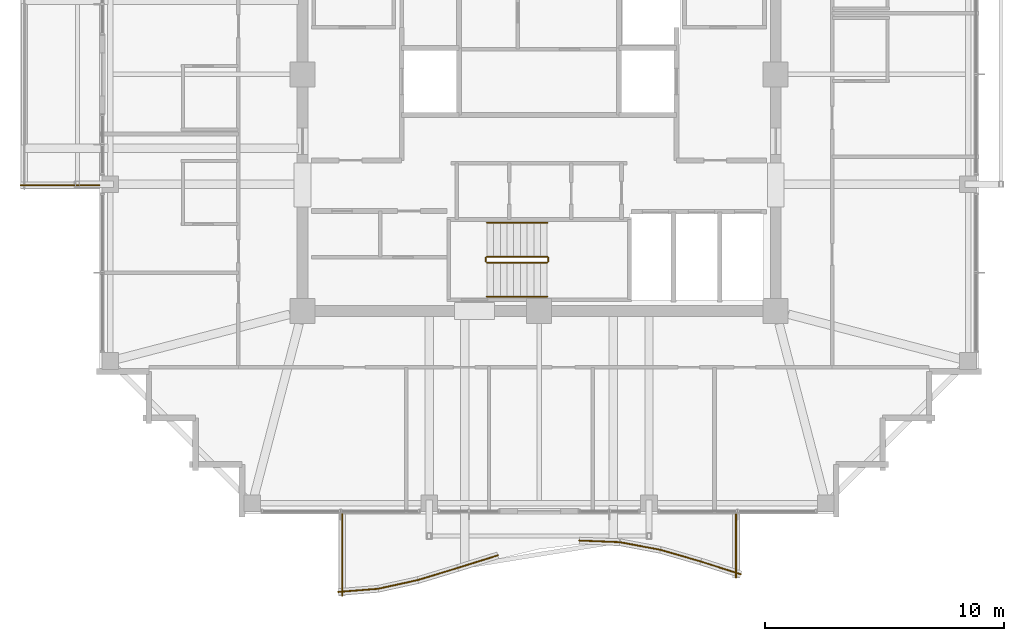
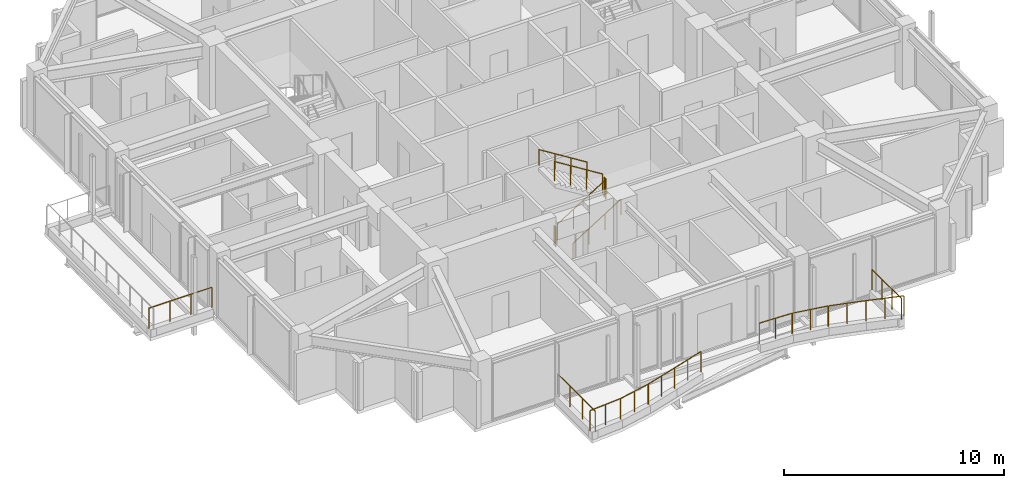
# One storey, part 32 of 34: 17 railings.
"""IFC4 building model written with IfcOpenShell, lengths in metres."""

from ifc_helpers import new_model, si_unit, direction, frame, origin, origin_2d, place, context, subcontext, project, spatial, circle, extrude, material, type_object, element, save


model = new_model("IFC4")

# Units and contexts
model_context = context("Model", 3, precision=1e-05, world=origin(), true_north=direction((0.0, 1.0)))
body_context = subcontext(model_context, "Body", "Model", "MODEL_VIEW")
ifc_project = project(units=[si_unit("LENGTHUNIT", "METRE"), si_unit("AREAUNIT", "SQUARE_METRE"), si_unit("VOLUMEUNIT", "CUBIC_METRE"), si_unit("PLANEANGLEUNIT", "RADIAN"), si_unit("MASSUNIT", "GRAM", prefix="KILO")], contexts=[model_context])

# Site, building, storey
site_placement = place(None, origin())
site = spatial("IfcSite", under=ifc_project, at=site_placement, CompositionType="ELEMENT")
building_placement = place(site_placement, origin())
building = spatial("IfcBuilding", under=site, at=building_placement, Name="Kolvaren Belvedere", CompositionType="ELEMENT")
storey_placement = place(building_placement, frame((0.0, 0.0, 240.89990234375)))
storey = spatial("IfcBuildingStorey", under=building, at=storey_placement, Name="L70", CompositionType="ELEMENT", Elevation=240.89990234375)

# Railings
ifc_material_1 = material(Name="Anodised pale-metal aluminium & laminated glass guard", Category="aluminium")
railing_type_1 = type_object("IfcRailingType", Name="RL-GUARD-1150", PredefinedType="GUARDRAIL", material=ifc_material_1)
railing_1_placement = place(storey_placement, frame((-8.41259765625, -21.660400390625, 0.35009765625)))
element("IfcRailing", 1, at=railing_1_placement, inside=storey, type_object=railing_type_1, Name="L70 Exterior Deck Safety Guard BAL-S-1", PredefinedType="GUARDRAIL", context=body_context, shape_type="SweptSolid", body=[
    extrude(circle(Radius=0.02392578125, at=origin_2d()), frame((0.0, 0.0, 1.1259765625), z_axis=(0.99685522818, 0.079244268248, 0.0), x_axis=(-0.079244268248, 0.99685522818, 0.0)), (0.0, 0.0, 1.0), 1.685302734375),
    extrude(circle(Radius=0.02099609375, at=origin_2d()), origin(), (0.0, 0.0, 1.0), 1.101806640625),
    extrude(circle(Radius=0.02099609375, at=origin_2d()), frame((0.83984375, 0.06689453125, 0.0)), (0.0, 0.0, 1.0), 1.101806640625),
    extrude(circle(Radius=0.02099609375, at=origin_2d()), frame((1.679931640625, 0.133544921875, 0.0)), (0.0, 0.0, 1.0), 1.101806640625),
])
railing_2_placement = place(storey_placement, frame((-6.754150390625, -21.530029296875, 0.35009765625)))
element("IfcRailing", 2, at=railing_2_placement, inside=storey, type_object=railing_type_1, Name="L70 Exterior Deck Safety Guard BAL-S-2", PredefinedType="GUARDRAIL", context=body_context, shape_type="SweptSolid", body=[
    extrude(circle(Radius=0.02392578125, at=origin_2d()), frame((0.0, 0.0, 1.1259765625), z_axis=(0.976876857632, 0.213802724545, 0.0), x_axis=(-0.213802724545, 0.976876857632, 0.0)), (0.0, 0.0, 1.0), 1.7197265625),
    extrude(circle(Radius=0.02099609375, at=origin_2d()), origin(), (0.0, 0.0, 1.0), 1.101806640625),
    extrude(circle(Radius=0.02099609375, at=origin_2d()), frame((0.83984375, 0.183837890625, 0.0)), (0.0, 0.0, 1.0), 1.101806640625),
    extrude(circle(Radius=0.02099609375, at=origin_2d()), frame((1.679931640625, 0.36767578125, 0.0)), (0.0, 0.0, 1.0), 1.101806640625),
])
railing_3_placement = place(storey_placement, frame((-5.086669921875, -21.16552734375, 0.35009765625)))
element("IfcRailing", 3, at=railing_3_placement, inside=storey, type_object=railing_type_1, Name="L70 Exterior Deck Safety Guard BAL-S-3", PredefinedType="GUARDRAIL", context=body_context, shape_type="SweptSolid", body=[
    extrude(circle(Radius=0.02392578125, at=origin_2d()), frame((0.0, 0.0, 1.1259765625), z_axis=(0.956771481005, 0.290840734999, 0.0), x_axis=(-0.290840734999, 0.956771481005, 0.0)), (0.0, 0.0, 1.0), 1.756103515625),
    extrude(circle(Radius=0.02099609375, at=origin_2d()), origin(), (0.0, 0.0, 1.0), 1.101806640625),
    extrude(circle(Radius=0.02099609375, at=origin_2d()), frame((0.840087890625, 0.25537109375, 0.0)), (0.0, 0.0, 1.0), 1.101806640625),
    extrude(circle(Radius=0.02099609375, at=origin_2d()), frame((1.68017578125, 0.5107421875, 0.0)), (0.0, 0.0, 1.0), 1.101806640625),
])
railing_4_placement = place(storey_placement, frame((-3.407958984375, -20.6552734375, 0.35009765625)))
element("IfcRailing", 4, at=railing_4_placement, inside=storey, type_object=railing_type_1, Name="L70 Exterior Deck Safety Guard BAL-S-4", PredefinedType="GUARDRAIL", context=body_context, shape_type="SweptSolid", body=[
    extrude(circle(Radius=0.02392578125, at=origin_2d()), frame((0.0, 0.0, 1.1259765625), z_axis=(0.954069594374, 0.299585061529, 0.0), x_axis=(-0.299585061529, 0.954069594374, 0.0)), (0.0, 0.0, 1.0), 1.760986328125),
    extrude(circle(Radius=0.02099609375, at=origin_2d()), origin(), (0.0, 0.0, 1.0), 1.101806640625),
    extrude(circle(Radius=0.02099609375, at=origin_2d()), frame((0.840087890625, 0.263671875, 0.0)), (0.0, 0.0, 1.0), 1.101806640625),
    extrude(circle(Radius=0.02099609375, at=origin_2d()), frame((1.68017578125, 0.527587890625, 0.0)), (0.0, 0.0, 1.0), 1.101806640625),
])
railing_5_placement = place(storey_placement, frame((1.686279296875, -19.508544921875, 0.35009765625)))
element("IfcRailing", 5, at=railing_5_placement, inside=storey, type_object=railing_type_1, Name="L70 Exterior Deck Safety Guard BAL-S-7", PredefinedType="GUARDRAIL", context=body_context, shape_type="SweptSolid", body=[
    extrude(circle(Radius=0.02392578125, at=origin_2d()), frame((0.0, 0.0, 1.1259765625), z_axis=(0.999196778482, -0.040072407855, 0.0), x_axis=(0.040072407855, 0.999196778482, 0.0)), (0.0, 0.0, 1.0), 1.681640625),
    extrude(circle(Radius=0.02099609375, at=origin_2d()), origin(), (0.0, 0.0, 1.0), 1.101806640625),
    extrude(circle(Radius=0.02099609375, at=origin_2d()), frame((0.840087890625, -0.03369140625, 0.0)), (0.0, 0.0, 1.0), 1.101806640625),
    extrude(circle(Radius=0.02099609375, at=origin_2d()), frame((1.68017578125, -0.0673828125, 0.0)), (0.0, 0.0, 1.0), 1.101806640625),
])
railing_6_placement = place(storey_placement, frame((3.3896484375, -19.57861328125, 0.35009765625)))
element("IfcRailing", 6, at=railing_6_placement, inside=storey, type_object=railing_type_1, Name="L70 Exterior Deck Safety Guard BAL-S-8", PredefinedType="GUARDRAIL", context=body_context, shape_type="SweptSolid", body=[
    extrude(circle(Radius=0.02392578125, at=origin_2d()), frame((0.0, 0.0, 1.1259765625), z_axis=(0.982799348901, -0.18467658162, 0.0), x_axis=(0.18467658162, 0.982799348901, 0.0)), (0.0, 0.0, 1.0), 1.709228515625),
    extrude(circle(Radius=0.02099609375, at=origin_2d()), origin(), (0.0, 0.0, 1.0), 1.101806640625),
    extrude(circle(Radius=0.02099609375, at=origin_2d()), frame((0.83984375, -0.15771484375, 0.0)), (0.0, 0.0, 1.0), 1.101806640625),
    extrude(circle(Radius=0.02099609375, at=origin_2d()), frame((1.679931640625, -0.315673828125, 0.0)), (0.0, 0.0, 1.0), 1.101806640625),
])
railing_7_placement = place(storey_placement, frame((5.08447265625, -19.89794921875, 0.35009765625)))
element("IfcRailing", 7, at=railing_7_placement, inside=storey, type_object=railing_type_1, Name="L70 Exterior Deck Safety Guard BAL-S-9", PredefinedType="GUARDRAIL", context=body_context, shape_type="SweptSolid", body=[
    extrude(circle(Radius=0.02392578125, at=origin_2d()), frame((0.0, 0.0, 1.1259765625), z_axis=(0.960633903819, -0.277817391164, 0.0), x_axis=(0.277817391164, 0.960633903819, 0.0)), (0.0, 0.0, 1.0), 1.748779296875),
    extrude(circle(Radius=0.02099609375, at=origin_2d()), origin(), (0.0, 0.0, 1.0), 1.101806640625),
    extrude(circle(Radius=0.02099609375, at=origin_2d()), frame((0.83984375, -0.242919921875, 0.0)), (0.0, 0.0, 1.0), 1.101806640625),
    extrude(circle(Radius=0.02099609375, at=origin_2d()), frame((1.679931640625, -0.48583984375, 0.0)), (0.0, 0.0, 1.0), 1.101806640625),
])
railing_8_placement = place(storey_placement, frame((6.7685546875, -20.38525390625, 0.35009765625)))
element("IfcRailing", 8, at=railing_8_placement, inside=storey, type_object=railing_type_1, Name="L70 Exterior Deck Safety Guard BAL-S-10", PredefinedType="GUARDRAIL", context=body_context, shape_type="SweptSolid", body=[
    extrude(circle(Radius=0.02392578125, at=origin_2d()), frame((0.0, 0.0, 1.1259765625), z_axis=(0.952661770826, -0.304032153573, 0.0), x_axis=(0.304032153573, 0.952661770826, 0.0)), (0.0, 0.0, 1.0), 1.763427734375),
    extrude(circle(Radius=0.02099609375, at=origin_2d()), origin(), (0.0, 0.0, 1.0), 1.101806640625),
    extrude(circle(Radius=0.02099609375, at=origin_2d()), frame((0.83984375, -0.26806640625, 0.0)), (0.0, 0.0, 1.0), 1.101806640625),
    extrude(circle(Radius=0.02099609375, at=origin_2d()), frame((1.679931640625, -0.5361328125, 0.0)), (0.0, 0.0, 1.0), 1.101806640625),
])
railing_9_placement = place(storey_placement, frame((8.239990234375, -21.07373046875, 0.35009765625)))
element("IfcRailing", 9, at=railing_9_placement, inside=storey, type_object=railing_type_1, Name="L70 Exterior Deck Safety Guard BAL-S-11", PredefinedType="GUARDRAIL", context=body_context, shape_type="SweptSolid", body=[
    extrude(circle(Radius=0.02392578125, at=origin_2d()), frame((0.0, 0.0, 1.1259765625), z_axis=(0.0, 1.0, 0.0), x_axis=(-1.0, 0.0, 0.0)), (0.0, 0.0, 1.0), 2.673828125),
    extrude(circle(Radius=0.02099609375, at=origin_2d()), origin(), (0.0, 0.0, 1.0), 1.101806640625),
    extrude(circle(Radius=0.02099609375, at=origin_2d()), frame((0.0, 0.891357421875, 0.0)), (0.0, 0.0, 1.0), 1.101806640625),
    extrude(circle(Radius=0.02099609375, at=origin_2d()), frame((0.0, 1.782470703125, 0.0)), (0.0, 0.0, 1.0), 1.101806640625),
    extrude(circle(Radius=0.02099609375, at=origin_2d()), frame((0.0, 2.673828125, 0.0)), (0.0, 0.0, 1.0), 1.101806640625),
])
railing_10_placement = place(storey_placement, frame((-8.239990234375, -18.39990234375, 0.35009765625)))
element("IfcRailing", 10, at=railing_10_placement, inside=storey, type_object=railing_type_1, Name="L70 Exterior Deck Safety Guard BAL-S-22", PredefinedType="GUARDRAIL", context=body_context, shape_type="SweptSolid", body=[
    extrude(circle(Radius=0.02392578125, at=origin_2d()), frame((0.0, 0.0, 1.1259765625), z_axis=(0.0, -1.0, 0.0), x_axis=(1.0, 0.0, 0.0)), (0.0, 0.0, 1.0), 3.420166015625),
    extrude(circle(Radius=0.02099609375, at=origin_2d()), origin(), (0.0, 0.0, 1.0), 1.101806640625),
    extrude(circle(Radius=0.02099609375, at=origin_2d()), frame((0.0, -1.14013671875, 0.0)), (0.0, 0.0, 1.0), 1.101806640625),
    extrude(circle(Radius=0.02099609375, at=origin_2d()), frame((0.0, -2.280029296875, 0.0)), (0.0, 0.0, 1.0), 1.101806640625),
    extrude(circle(Radius=0.02099609375, at=origin_2d()), frame((0.0, -3.420166015625, 0.0)), (0.0, 0.0, 1.0), 1.101806640625),
])
railing_11_placement = place(storey_placement, frame((-21.699951171875, -4.639892578125, 0.35009765625)))
element("IfcRailing", 11, at=railing_11_placement, inside=storey, type_object=railing_type_1, Name="L70 Exterior Deck Safety Guard SPIRAL-11-W-1", PredefinedType="GUARDRAIL", context=body_context, shape_type="SweptSolid", body=[
    extrude(circle(Radius=0.02392578125, at=origin_2d()), frame((0.0, 0.0, 1.1259765625), z_axis=(1.0, 0.0, 0.0), x_axis=(0.0, 1.0, 0.0)), (0.0, 0.0, 1.0), 3.300048828125),
    extrude(circle(Radius=0.02099609375, at=origin_2d()), origin(), (0.0, 0.0, 1.0), 1.101806640625),
    extrude(circle(Radius=0.02099609375, at=origin_2d()), frame((1.10009765625, 0.0, 0.0)), (0.0, 0.0, 1.0), 1.101806640625),
    extrude(circle(Radius=0.02099609375, at=origin_2d()), frame((2.199951171875, 0.0, 0.0)), (0.0, 0.0, 1.0), 1.101806640625),
    extrude(circle(Radius=0.02099609375, at=origin_2d()), frame((3.300048828125, 0.0, 0.0)), (0.0, 0.0, 1.0), 1.101806640625),
])
ifc_material_2 = material(Name="Brushed stainless-steel handrail", Category="steel")
railing_type_2 = type_object("IfcRailingType", Name="RL-HANDRAIL-920", PredefinedType="HANDRAIL", material=ifc_material_2)
railing_12_placement = place(storey_placement, frame((-2.179931640625, -9.300048828125, 0.175048828125)))
element("IfcRailing", 12, at=railing_12_placement, inside=storey, type_object=railing_type_2, Name="L70 ST-3 stair handrail 1", PredefinedType="HANDRAIL", context=body_context, shape_type="SweptSolid", body=[
    extrude(circle(Radius=0.02392578125, at=origin_2d()), frame((0.0, 0.0, 0.8759765625), z_axis=(0.848007534815, 0.0, 0.529984170421), x_axis=(0.0, 1.0, 0.0)), (0.0, 0.0, 1.0), 2.9716796875),
    extrude(circle(Radius=0.02099609375, at=origin_2d()), origin(), (0.0, 0.0, 1.0), 0.851806640625),
    extrude(circle(Radius=0.02099609375, at=origin_2d()), frame((0.840087890625, 0.0, 0.52490234375)), (0.0, 0.0, 1.0), 0.851806640625),
    extrude(circle(Radius=0.02099609375, at=origin_2d()), frame((1.679931640625, 0.0, 1.050048828125)), (0.0, 0.0, 1.0), 0.851806640625),
    extrude(circle(Radius=0.02099609375, at=origin_2d()), frame((2.52001953125, 0.0, 1.574951171875)), (0.0, 0.0, 1.0), 0.851806640625),
])
railing_13_placement = place(storey_placement, frame((0.340087890625, -6.2099609375, 1.925048828125)))
element("IfcRailing", 13, at=railing_13_placement, inside=storey, type_object=railing_type_2, Name="L70 ST-3 stair handrail 2", PredefinedType="HANDRAIL", context=body_context, shape_type="SweptSolid", body=[
    extrude(circle(Radius=0.02392578125, at=origin_2d()), frame((0.0, 0.0, 0.8759765625), z_axis=(-0.848007534815, 0.0, 0.529984170421), x_axis=(0.0, -1.0, 0.0)), (0.0, 0.0, 1.0), 2.9716796875),
    extrude(circle(Radius=0.02099609375, at=origin_2d()), origin(), (0.0, 0.0, 1.0), 0.851806640625),
    extrude(circle(Radius=0.02099609375, at=origin_2d()), frame((-0.840087890625, 0.0, 0.52490234375)), (0.0, 0.0, 1.0), 0.851806640625),
    extrude(circle(Radius=0.02099609375, at=origin_2d()), frame((-1.679931640625, 0.0, 1.050048828125)), (0.0, 0.0, 1.0), 0.851806640625),
    extrude(circle(Radius=0.02099609375, at=origin_2d()), frame((-2.52001953125, 0.0, 1.574951171875)), (0.0, 0.0, 1.0), 0.851806640625),
])
ifc_material_3 = material(Name="Painted tubular steel stair guard", Category="steel")
railing_type_3 = type_object("IfcRailingType", Name="RL-STGUARD-1100", PredefinedType="GUARDRAIL", material=ifc_material_3)
railing_14_placement = place(storey_placement, frame((-2.179931640625, -7.8798828125, 0.175048828125)))
element("IfcRailing", 14, at=railing_14_placement, inside=storey, type_object=railing_type_3, Name="L70 ST-3 stair guard 1", PredefinedType="GUARDRAIL", context=body_context, shape_type="SweptSolid", body=[
    extrude(circle(Radius=0.02392578125, at=origin_2d()), frame((0.0, 0.0, 1.076171875), z_axis=(0.848007534815, 0.0, 0.529984170421), x_axis=(0.0, 1.0, 0.0)), (0.0, 0.0, 1.0), 2.9716796875),
    extrude(circle(Radius=0.02099609375, at=origin_2d()), origin(), (0.0, 0.0, 1.0), 1.052001953125),
    extrude(circle(Radius=0.02099609375, at=origin_2d()), frame((0.840087890625, 0.0, 0.52490234375)), (0.0, 0.0, 1.0), 1.052001953125),
    extrude(circle(Radius=0.02099609375, at=origin_2d()), frame((1.679931640625, 0.0, 1.050048828125)), (0.0, 0.0, 1.0), 1.052001953125),
    extrude(circle(Radius=0.02099609375, at=origin_2d()), frame((2.52001953125, 0.0, 1.574951171875)), (0.0, 0.0, 1.0), 1.052001953125),
])
railing_15_placement = place(storey_placement, frame((0.389892578125, -7.830078125, 1.75)))
element("IfcRailing", 15, at=railing_15_placement, inside=storey, type_object=railing_type_3, Name="L70 ST-3 stair guard 2", PredefinedType="GUARDRAIL", context=body_context, shape_type="SweptSolid", body=[
    extrude(circle(Radius=0.02392578125, at=origin_2d()), frame((0.0, 0.0, 1.076171875), z_axis=(0.0, 1.0, 0.0), x_axis=(-1.0, 0.0, 0.0)), (0.0, 0.0, 1.0), 0.150146484375),
    extrude(circle(Radius=0.02099609375, at=origin_2d()), origin(), (0.0, 0.0, 1.0), 1.052001953125),
    extrude(circle(Radius=0.02099609375, at=origin_2d()), frame((0.0, 0.150146484375, 0.0)), (0.0, 0.0, 1.0), 1.052001953125),
])
railing_16_placement = place(storey_placement, frame((0.340087890625, -7.6298828125, 1.925048828125)))
element("IfcRailing", 16, at=railing_16_placement, inside=storey, type_object=railing_type_3, Name="L70 ST-3 stair guard 3", PredefinedType="GUARDRAIL", context=body_context, shape_type="SweptSolid", body=[
    extrude(circle(Radius=0.02392578125, at=origin_2d()), frame((0.0, 0.0, 1.076171875), z_axis=(-0.848007534815, 0.0, 0.529984170421), x_axis=(0.0, -1.0, 0.0)), (0.0, 0.0, 1.0), 2.9716796875),
    extrude(circle(Radius=0.02099609375, at=origin_2d()), origin(), (0.0, 0.0, 1.0), 1.052001953125),
    extrude(circle(Radius=0.02099609375, at=origin_2d()), frame((-0.840087890625, 0.0, 0.52490234375)), (0.0, 0.0, 1.0), 1.052001953125),
    extrude(circle(Radius=0.02099609375, at=origin_2d()), frame((-1.679931640625, 0.0, 1.050048828125)), (0.0, 0.0, 1.0), 1.052001953125),
    extrude(circle(Radius=0.02099609375, at=origin_2d()), frame((-2.52001953125, 0.0, 1.574951171875)), (0.0, 0.0, 1.0), 1.052001953125),
])
railing_17_placement = place(storey_placement, frame((-2.22998046875, -7.830078125, 0.0)))
element("IfcRailing", 17, at=railing_17_placement, inside=storey, type_object=railing_type_3, Name="L70 ST-3 stair guard 4", PredefinedType="GUARDRAIL", context=body_context, shape_type="SweptSolid", body=[
    extrude(circle(Radius=0.02392578125, at=origin_2d()), frame((0.0, 0.0, 1.076171875), z_axis=(0.0, 1.0, 0.0), x_axis=(-1.0, 0.0, 0.0)), (0.0, 0.0, 1.0), 0.150146484375),
    extrude(circle(Radius=0.02099609375, at=origin_2d()), origin(), (0.0, 0.0, 1.0), 1.052001953125),
    extrude(circle(Radius=0.02099609375, at=origin_2d()), frame((0.0, 0.150146484375, 0.0)), (0.0, 0.0, 1.0), 1.052001953125),
])

save(model, "model.ifc")
